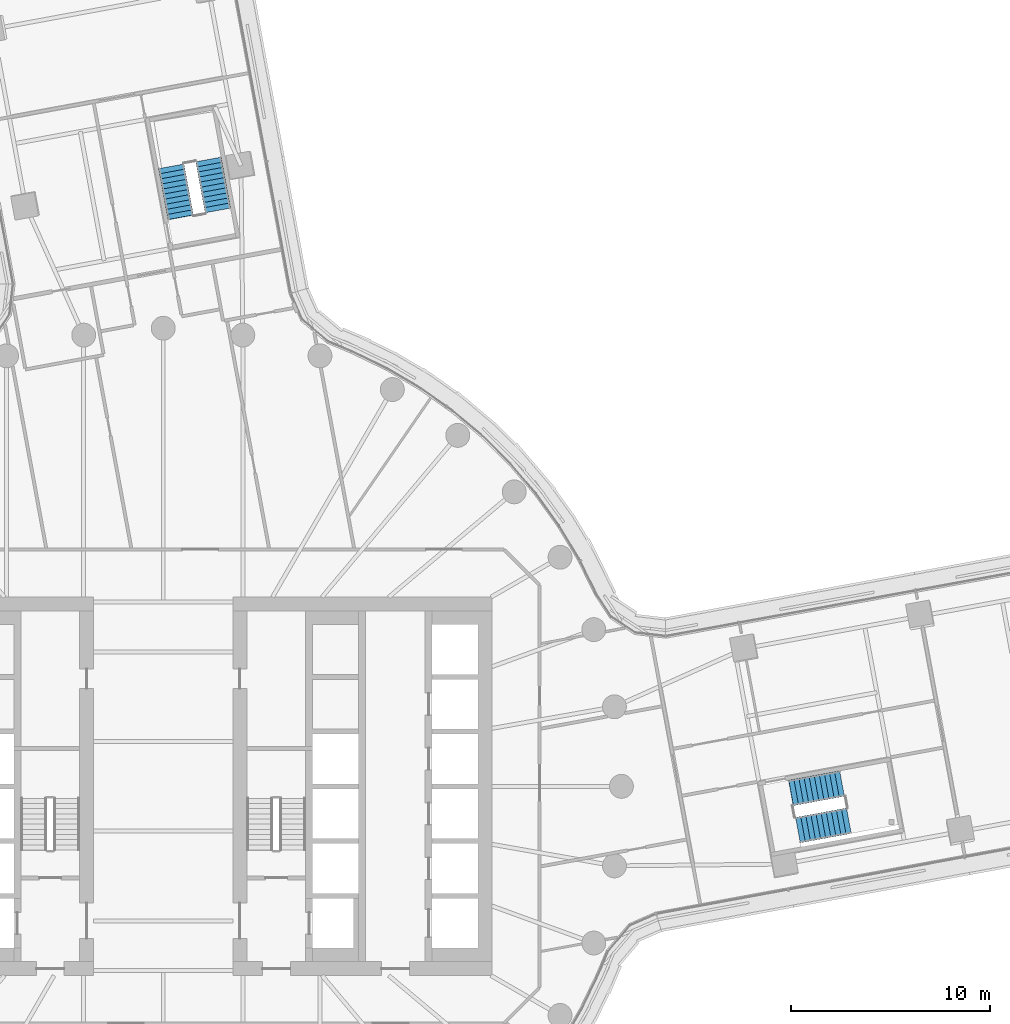
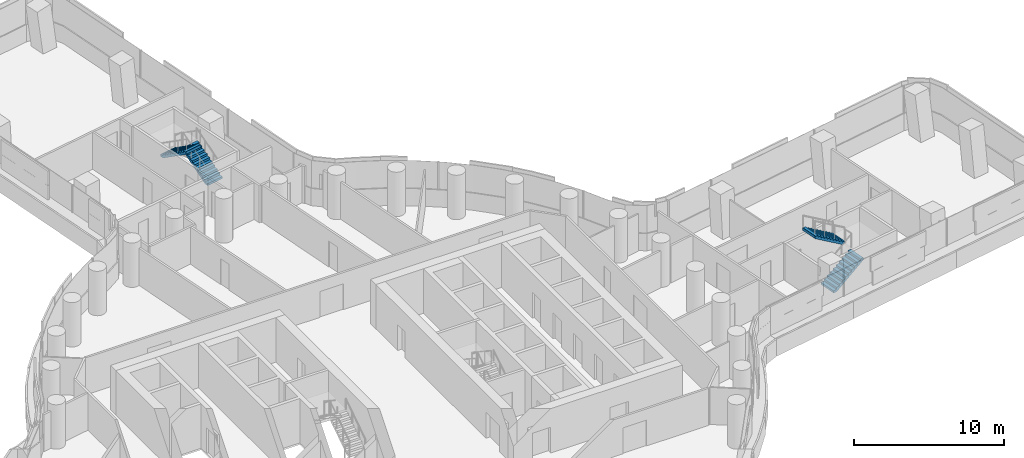
# One storey, part 25 of 33: 4 stair flights, 2 elements without a shape of their own.
"""IFC4 building model written with IfcOpenShell, lengths in metres."""

import ifcopenshell
import ifcopenshell.guid

model = None  # the IFC model being written
_history = None  # IfcOwnerHistory: only IFC2X3 demands one
_inside = {}  # id of a spatial element -> (the spatial element, [elements in it])
_under = {}  # id of a project, library or spatial element -> (it, [spatial elements below it])
_declared = {}  # id of a project -> (the project, [libraries it declares])
_typed = {}  # id of a type object -> (the type object, [elements of that type])
_made_of = {}  # id of a material, layer set ... -> (it, [elements and type objects made of it])


def new_model(schema):
    """Start an empty IFC model of exactly this schema.

    Asked for "IFC4X3", IfcOpenShell would pick the latest addendum, in which some entities
    have other attributes; the version numbers below select the first issue.
    IFC2X3 requires an IfcOwnerHistory on every rooted entity: one is made here for all.
    """
    global model, _history
    if schema == "IFC4X3":
        model = ifcopenshell.file(schema_version=(4, 3, 0, 0))
    else:
        model = ifcopenshell.file(schema=schema)
    _inside.clear()
    _under.clear()
    _declared.clear()
    _typed.clear()
    _made_of.clear()
    _history = None
    if model.schema == "IFC2X3":
        org = make("IfcOrganization", Name="unknown")
        user = make(
            "IfcPersonAndOrganization",
            ThePerson=make("IfcPerson", FamilyName="unknown"),
            TheOrganization=org,
        )
        app = make(
            "IfcApplication",
            ApplicationDeveloper=org,
            Version="unknown",
            ApplicationFullName="unknown",
            ApplicationIdentifier="unknown",
        )
        _history = make(
            "IfcOwnerHistory",
            OwningUser=user,
            OwningApplication=app,
            ChangeAction="ADDED",
            CreationDate=0,
        )
    return model


def make(cls, **values):
    """One entity of the class cls with the attributes given. An attribute that is None is left unset."""
    return model.create_entity(
        cls, **{name: value for name, value in values.items() if value is not None}
    )


def rooted(cls, **values):
    """An entity with a GlobalId (a new one), such as an element, a storey or a relation."""
    return make(cls, GlobalId=ifcopenshell.guid.new(), OwnerHistory=_history, **values)


def si_unit(unit_type, name, prefix=None):
    """IfcSIUnit, for example si_unit("LENGTHUNIT", "METRE", prefix="MILLI")."""
    return make("IfcSIUnit", UnitType=unit_type, Prefix=prefix, Name=name)


def assignment(units):
    """IfcUnitAssignment: the units of a project."""
    return None if units is None else make("IfcUnitAssignment", Units=units)


def point(xyz):
    """IfcCartesianPoint."""
    return None if xyz is None else make("IfcCartesianPoint", Coordinates=xyz)


def direction(xyz):
    """IfcDirection."""
    return None if xyz is None else make("IfcDirection", DirectionRatios=xyz)


def frame(location, z_axis=None, x_axis=None):
    """IfcAxis2Placement3D, a coordinate frame: its origin and axes. An axis left out is left unset."""
    return make(
        "IfcAxis2Placement3D",
        Location=point(location),
        Axis=direction(z_axis),
        RefDirection=direction(x_axis),
    )


def origin():
    """The frame at (0, 0, 0) with its axes left unset."""
    return frame((0.0, 0.0, 0.0))


def place(relative_to, where):
    """IfcLocalPlacement: puts the frame where relative to a parent placement (None: the world)."""
    return make(
        "IfcLocalPlacement", PlacementRelTo=relative_to, RelativePlacement=where
    )


def context(
    kind, dimensions, precision=None, world=None, true_north=None, identifier=None
):
    """IfcGeometricRepresentationContext, for example the 3D "Model" context."""
    return make(
        "IfcGeometricRepresentationContext",
        ContextIdentifier=identifier,
        ContextType=kind,
        CoordinateSpaceDimension=dimensions,
        Precision=precision,
        WorldCoordinateSystem=world,
        TrueNorth=true_north,
    )


def subcontext(parent, identifier, kind, view, scale=None):
    """IfcGeometricRepresentationSubContext, for example "Body" below "Model"."""
    return make(
        "IfcGeometricRepresentationSubContext",
        ContextIdentifier=identifier,
        ContextType=kind,
        ParentContext=parent,
        TargetScale=scale,
        TargetView=view,
    )


def project(units=None, contexts=None):
    """IfcProject with its units and contexts."""
    return rooted(
        "IfcProject",
        Name="project",
        RepresentationContexts=contexts,
        UnitsInContext=assignment(units),
    )


def spatial(cls, under=None, at=None, **own):
    """A site, building, storey or space (cls), placed at a placement, below another one or the project."""
    s = rooted(cls, ObjectPlacement=at, **own)
    if under is not None:
        _under.setdefault(under.id(), (under, []))[1].append(s)
    return s


def polyline(points):
    """IfcPolyline through the points."""
    return make("IfcPolyline", Points=[point(p) for p in points])


def outline(outer, holes=None, kind="AREA"):
    """IfcArbitraryClosedProfileDef: a profile drawn as a closed curve; with holes, ...WithVoids."""
    if holes is None:
        return make("IfcArbitraryClosedProfileDef", ProfileType=kind, OuterCurve=outer)
    return make(
        "IfcArbitraryProfileDefWithVoids",
        ProfileType=kind,
        OuterCurve=outer,
        InnerCurves=holes,
    )


def extrude(swept, where, along, depth):
    """IfcExtrudedAreaSolid: the profile swept, set in the frame where, extruded along a direction by depth."""
    return make(
        "IfcExtrudedAreaSolid",
        SweptArea=swept,
        Position=where,
        ExtrudedDirection=direction(along),
        Depth=depth,
    )


def shape(context_of_items, identifier, shape_type, items):
    """IfcShapeRepresentation: the items that make up one representation, for example the "Body"."""
    return make(
        "IfcShapeRepresentation",
        ContextOfItems=context_of_items,
        RepresentationIdentifier=identifier,
        RepresentationType=shape_type,
        Items=items,
    )


def material(Name=None, Category=None):
    """IfcMaterial."""
    return make("IfcMaterial", Name=Name, Category=Category)


def made_of(thing, what):
    """Note that an element or type object is made of a material, layer set ...; save() writes the relation."""
    if what is not None:
        _made_of.setdefault(what.id(), (what, []))[1].append(thing)
    return thing


def type_object(cls, material=None, **own):
    """A type object (cls), such as IfcWallType, which elements share."""
    return made_of(rooted(cls, **own), material)


def element(
    cls,
    number,
    at=None,
    inside=None,
    cuts=None,
    type_object=None,
    material=None,
    context=None,
    identifier="Body",
    shape_type=None,
    held_by="IfcProductDefinitionShape",
    body=None,
    shapes=None,
    **own,
):
    """One element of the class cls, such as IfcWall. Its Tag is "e" and its number.

    at: its placement. inside: the storey or other place that contains it. cuts: it is an
    opening in that element (IfcRelVoidsElement). A single representation is given by context,
    identifier, shape_type and body (its items); several are given by shapes. held_by: the class
    of the entity that holds the representations. save() writes the other relations.
    """
    e = rooted(cls, Tag="e%d" % number, ObjectPlacement=at, **own)
    if body is not None:
        shapes = [shape(context, identifier, shape_type, body)]
    if shapes is not None:
        e.Representation = make(held_by, Representations=shapes)
    if inside is not None:
        _inside.setdefault(inside.id(), (inside, []))[1].append(e)
    if cuts is not None:
        rooted(
            "IfcRelVoidsElement", RelatingBuildingElement=cuts, RelatedOpeningElement=e
        )
    if type_object is not None:
        _typed.setdefault(type_object.id(), (type_object, []))[1].append(e)
    return made_of(e, material)


def aggregate(whole, parts):
    """IfcRelAggregates: a whole, such as a stair, and the parts it consists of."""
    return rooted("IfcRelAggregates", RelatingObject=whole, RelatedObjects=parts)


def save(model, path):
    """Write the relations noted so far, then the file.

    IfcRelAggregates (storeys below a building ...), IfcRelContainedInSpatialStructure (elements
    in a storey), IfcRelDefinesByType, IfcRelAssociatesMaterial and IfcRelDeclares: one each for
    every whole, place, type object, material and project.
    """
    for whole, parts in _under.values():
        aggregate(whole, parts)
    for where, things in _inside.values():
        rooted(
            "IfcRelContainedInSpatialStructure",
            RelatedElements=things,
            RelatingStructure=where,
        )
    for kind, things in _typed.values():
        rooted("IfcRelDefinesByType", RelatedObjects=things, RelatingType=kind)
    for what, things in _made_of.values():
        rooted("IfcRelAssociatesMaterial", RelatedObjects=things, RelatingMaterial=what)
    for by, libraries in _declared.values():
        rooted("IfcRelDeclares", RelatingContext=by, RelatedDefinitions=libraries)
    model.write(path)


model = new_model("IFC4")

# Units and contexts
model_context = context("Model", 3, precision=1e-05, world=origin(), true_north=direction((0.0, 1.0)))
body_context = subcontext(model_context, "Body", "Model", "MODEL_VIEW")
ifc_project = project(units=[si_unit("LENGTHUNIT", "METRE"), si_unit("AREAUNIT", "SQUARE_METRE"), si_unit("VOLUMEUNIT", "CUBIC_METRE"), si_unit("PLANEANGLEUNIT", "RADIAN"), si_unit("MASSUNIT", "GRAM", prefix="KILO")], contexts=[model_context])

# Site, building, storey
site_placement = place(None, origin())
site = spatial("IfcSite", under=ifc_project, at=site_placement, CompositionType="ELEMENT")
building_placement = place(site_placement, origin())
building = spatial("IfcBuilding", under=site, at=building_placement, Name="Tamarind Cross Interchange Tower", CompositionType="ELEMENT")
storey_placement = place(building_placement, frame((0.0, 0.0, 71.5)))
storey = spatial("IfcBuildingStorey", under=building, at=storey_placement, Name="L16", CompositionType="ELEMENT", Elevation=71.5)

# Stair, stair flights
ifc_material_1 = material(Name="Exit stair")
stair_type = type_object("IfcStairType", Name="Exit stair", PredefinedType="HALF_TURN_STAIR", material=ifc_material_1)
stair_1_placement = place(storey_placement, origin())
stair_1 = element("IfcStair", 1, at=stair_1_placement, inside=storey, type_object=stair_type, Name="L16 exit stair ST3", PredefinedType="HALF_TURN_STAIR")
ifc_material_2 = material(Name="Exit stair flight")
stair_flight_type = type_object("IfcStairFlightType", Name="Exit stair flight", PredefinedType="STRAIGHT", material=ifc_material_2)
stair_flight_1_placement = place(storey_placement, frame((31.862060546875, -2.197998046875, 0.0), z_axis=(0.0, 0.0, 1.0), x_axis=(0.983419894311, 0.181343076715, 0.0)))
stair_flight_1 = element("IfcStairFlight", 2, at=stair_flight_1_placement, type_object=stair_flight_type, Name="ST3 flight 1", NumberOfRisers=11, NumberOfTreads=10, PredefinedType="STRAIGHT", RiserHeight=0.170454545, TreadLength=0.26, context=body_context, shape_type="SweptSolid", body=[
    extrude(outline(polyline([(0.0, 0.0), (0.0, 0.17041015625), (0.260009765625, 0.17041015625), (0.260009765625, 0.3408203125), (0.52001953125, 0.3408203125), (0.52001953125, 0.511474609375), (0.780029296875, 0.511474609375), (0.780029296875, 0.681884765625), (1.0400390625, 0.681884765625), (1.0400390625, 0.852294921875), (1.300048828125, 0.852294921875), (1.300048828125, 1.022705078125), (1.56005859375, 1.022705078125), (1.56005859375, 1.193115234375), (1.820068359375, 1.193115234375), (1.820068359375, 1.363525390625), (2.080078125, 1.363525390625), (2.080078125, 1.5341796875), (2.340087890625, 1.5341796875), (2.340087890625, 1.70458984375), (2.60009765625, 1.70458984375), (2.60009765625, 1.875), (2.60009765625, 1.525390625), (0.2734375, 0.0), (0.0, 0.0)])), frame((0.0, 0.64990234375, 0.0), z_axis=(0.0, -1.0, 0.0), x_axis=(1.0, 0.0, 0.0)), (0.0, 0.0, 1.0), 1.300048828125),
])
stair_flight_2_placement = place(storey_placement, frame((34.074462890625, 0.14208984375, 1.875), z_axis=(0.0, 0.0, 1.0), x_axis=(-0.983419894311, -0.181343076715, 0.0)))
stair_flight_2 = element("IfcStairFlight", 3, at=stair_flight_2_placement, type_object=stair_flight_type, Name="ST3 flight 2", NumberOfRisers=11, NumberOfTreads=10, PredefinedType="STRAIGHT", RiserHeight=0.170454545, TreadLength=0.26, context=body_context, shape_type="SweptSolid", body=[
    extrude(outline(polyline([(0.0, 0.0), (0.0, 0.17041015625), (0.260009765625, 0.17041015625), (0.260009765625, 0.3408203125), (0.52001953125, 0.3408203125), (0.52001953125, 0.511474609375), (0.780029296875, 0.511474609375), (0.780029296875, 0.681884765625), (1.0400390625, 0.681884765625), (1.0400390625, 0.852294921875), (1.300048828125, 0.852294921875), (1.300048828125, 1.022705078125), (1.56005859375, 1.022705078125), (1.56005859375, 1.193115234375), (1.820068359375, 1.193115234375), (1.820068359375, 1.363525390625), (2.080078125, 1.363525390625), (2.080078125, 1.5341796875), (2.340087890625, 1.5341796875), (2.340087890625, 1.70458984375), (2.60009765625, 1.70458984375), (2.60009765625, 1.7548828125), (2.612060546875, 1.7548828125), (2.612060546875, 1.533203125), (0.2734375, 0.0), (0.0, 0.0)])), frame((0.0, 0.64990234375, 0.0), z_axis=(0.0, -1.0, 0.0), x_axis=(1.0, 0.0, 0.0)), (0.0, 0.0, 1.0), 1.300048828125),
])
aggregate(stair_1, [stair_flight_1, stair_flight_2])

stair_2_placement = place(storey_placement, origin())
stair_2 = element("IfcStair", 4, at=stair_2_placement, inside=storey, type_object=stair_type, Name="L16 exit stair ST4", PredefinedType="HALF_TURN_STAIR")
stair_flight_3_placement = place(storey_placement, frame((2.741943359375, 28.911865234375, 0.0), z_axis=(0.0, 0.0, 1.0), x_axis=(-0.181343076715, 0.983419894311, 0.0)))
stair_flight_3 = element("IfcStairFlight", 5, at=stair_flight_3_placement, type_object=stair_flight_type, Name="ST4 flight 1", NumberOfRisers=11, NumberOfTreads=10, PredefinedType="STRAIGHT", RiserHeight=0.170454545, TreadLength=0.26, context=body_context, shape_type="SweptSolid", body=[
    extrude(outline(polyline([(0.0, 0.0), (0.0, 0.17041015625), (0.260009765625, 0.17041015625), (0.260009765625, 0.3408203125), (0.52001953125, 0.3408203125), (0.52001953125, 0.511474609375), (0.780029296875, 0.511474609375), (0.780029296875, 0.681884765625), (1.0400390625, 0.681884765625), (1.0400390625, 0.852294921875), (1.300048828125, 0.852294921875), (1.300048828125, 1.022705078125), (1.56005859375, 1.022705078125), (1.56005859375, 1.193115234375), (1.820068359375, 1.193115234375), (1.820068359375, 1.363525390625), (2.080078125, 1.363525390625), (2.080078125, 1.5341796875), (2.340087890625, 1.5341796875), (2.340087890625, 1.70458984375), (2.60009765625, 1.70458984375), (2.60009765625, 1.875), (2.60009765625, 1.525390625), (0.2734375, 0.0), (0.0, 0.0)])), frame((0.0, 0.64990234375, 0.0), z_axis=(0.0, -1.0, 0.0), x_axis=(1.0, 0.0, 0.0)), (0.0, 0.0, 1.0), 1.300048828125),
])
stair_flight_4_placement = place(storey_placement, frame((0.402099609375, 31.124267578125, 1.875), z_axis=(0.0, 0.0, 1.0), x_axis=(0.181343076715, -0.983419894311, 0.0)))
stair_flight_4 = element("IfcStairFlight", 6, at=stair_flight_4_placement, type_object=stair_flight_type, Name="ST4 flight 2", NumberOfRisers=11, NumberOfTreads=10, PredefinedType="STRAIGHT", RiserHeight=0.170454545, TreadLength=0.26, context=body_context, shape_type="SweptSolid", body=[
    extrude(outline(polyline([(0.0, 0.0), (0.0, 0.17041015625), (0.260009765625, 0.17041015625), (0.260009765625, 0.3408203125), (0.52001953125, 0.3408203125), (0.52001953125, 0.511474609375), (0.780029296875, 0.511474609375), (0.780029296875, 0.681884765625), (1.0400390625, 0.681884765625), (1.0400390625, 0.852294921875), (1.300048828125, 0.852294921875), (1.300048828125, 1.022705078125), (1.56005859375, 1.022705078125), (1.56005859375, 1.193115234375), (1.820068359375, 1.193115234375), (1.820068359375, 1.363525390625), (2.080078125, 1.363525390625), (2.080078125, 1.5341796875), (2.340087890625, 1.5341796875), (2.340087890625, 1.70458984375), (2.60009765625, 1.70458984375), (2.60009765625, 1.7548828125), (2.612060546875, 1.7548828125), (2.612060546875, 1.533203125), (0.2734375, 0.0), (0.0, 0.0)])), frame((0.0, 0.64990234375, 0.0), z_axis=(0.0, -1.0, 0.0), x_axis=(1.0, 0.0, 0.0)), (0.0, 0.0, 1.0), 1.300048828125),
])
aggregate(stair_2, [stair_flight_3, stair_flight_4])

save(model, "model.ifc")
